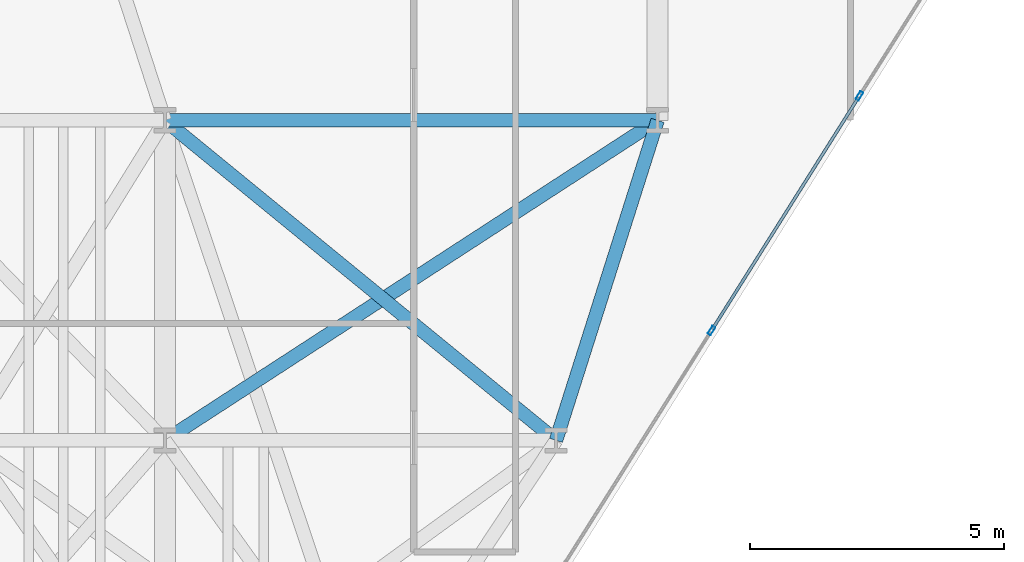
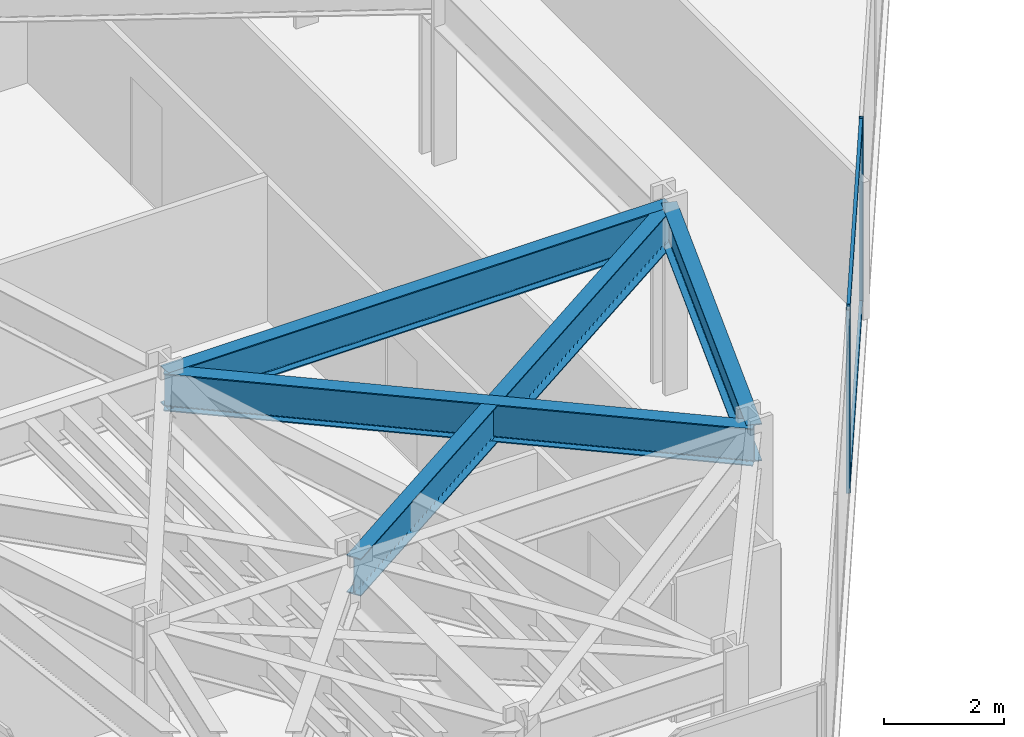
# One storey, part 6 of 25: 4 beams, 4 members, 1 element without a shape of its own.
"""IFC4 building model written with IfcOpenShell, lengths in metres."""

from ifc_helpers import new_model, si_unit, direction, frame, origin, origin_2d, place, context, subcontext, project, spatial, hollow_rectangle, i_section, extrude, material, layer, layer_set, material_profile, profile_set, type_object, element, aggregate, save


model = new_model("IFC4")

# Units and contexts
model_context = context("Model", 3, precision=1e-05, world=origin(), true_north=direction((0.0, 1.0)))
body_context = subcontext(model_context, "Body", "Model", "MODEL_VIEW")
ifc_project = project(units=[si_unit("LENGTHUNIT", "METRE"), si_unit("AREAUNIT", "SQUARE_METRE"), si_unit("VOLUMEUNIT", "CUBIC_METRE"), si_unit("PLANEANGLEUNIT", "RADIAN"), si_unit("MASSUNIT", "GRAM", prefix="KILO")], contexts=[model_context])

# Site, building, storey
site_placement = place(None, origin())
site = spatial("IfcSite", under=ifc_project, at=site_placement, CompositionType="ELEMENT")
building_placement = place(site_placement, origin())
building = spatial("IfcBuilding", under=site, at=building_placement, Name="Kravanh Interchange Tower", CompositionType="ELEMENT")
storey_placement = place(building_placement, frame((0.0, 0.0, 81.5)))
storey = spatial("IfcBuildingStorey", under=building, at=storey_placement, Name="L19", CompositionType="ELEMENT", Elevation=81.5)

# Curtain wall, members
ifc_material_1 = material(Name="Anodised Bronze Aluminium", Category="aluminium")
ifc_layer = layer(ifc_material_1, 0.179931640625)
ifc_layer_set = layer_set([ifc_layer], Name="Unitised Curtain Wall System CW-Z1 Lower Office")
curtain_wall_type = type_object("IfcCurtainWallType", Name="Unitised Curtain Wall System CW-Z1 Lower Office", PredefinedType="NOTDEFINED", material=ifc_layer_set)
curtain_wall_placement = place(storey_placement, origin())
curtain_wall = element("IfcCurtainWall", 1, at=curtain_wall_placement, inside=storey, type_object=curtain_wall_type, Name="L19 Unitised Curtain Wall CW-L19-05", PredefinedType="NOTDEFINED")
ifc_material_2 = material(Name="Anodised Bronze Aluminium", Category="aluminium")
ifc_material_profile_1 = material_profile(ifc_material_2, hollow_rectangle(XDim=0.070068359375, YDim=0.179931640625, WallThickness=0.00390625, at=origin_2d()), Name="ALU70X180X4")
ifc_profile_set_1 = profile_set([ifc_material_profile_1], Name="Anodised Bronze Aluminium")
member_type_1 = type_object("IfcMemberType", Name="Curtain Wall Mullion ALU70X180X4 Bronze", PredefinedType="MULLION", material=ifc_profile_set_1)
member_1_placement = place(storey_placement, frame((31.173583984375, 14.98291015625, 0.0), z_axis=(0.0, 0.0, 1.0), x_axis=(0.845925530786, -0.53330103728, 0.0)))
member_1 = element("IfcMember", 2, at=member_1_placement, type_object=member_type_1, Name="CW-Z1 mullion 3", PredefinedType="MULLION", context=body_context, shape_type="SweptSolid", body=[
    extrude(hollow_rectangle(XDim=0.070068359375, YDim=0.179931640625, WallThickness=0.00390625, at=origin_2d()), origin(), (0.0, 0.0, 1.0), 3.719970703125),
])
member_2_placement = place(storey_placement, frame((28.26025390625, 10.362060546875, 0.0), z_axis=(0.0, 0.0, 1.0), x_axis=(0.845925530786, -0.53330103728, 0.0)))
member_2 = element("IfcMember", 3, at=member_2_placement, type_object=member_type_1, Name="CW-Z1 mullion 4", PredefinedType="MULLION", context=body_context, shape_type="SweptSolid", body=[
    extrude(hollow_rectangle(XDim=0.070068359375, YDim=0.179931640625, WallThickness=0.00390625, at=origin_2d()), origin(), (0.0, 0.0, 1.0), 3.719970703125),
])
ifc_material_3 = material(Name="Anodised Bronze Aluminium", Category="aluminium")
ifc_material_profile_2 = material_profile(ifc_material_3, hollow_rectangle(XDim=0.06005859375, YDim=0.139892578125, WallThickness=0.00390625, at=origin_2d()), Name="ALU60X140X4")
ifc_profile_set_2 = profile_set([ifc_material_profile_2], Name="Anodised Bronze Aluminium")
member_type_2 = type_object("IfcMemberType", Name="Curtain Wall Transom ALU60X140X4 Bronze", PredefinedType="USERDEFINED", material=ifc_profile_set_2)
member_3_placement = place(storey_placement, frame((31.15478515625, 14.953369140625, 0.030029296875), z_axis=(-0.533279090152, -0.845939366626, 0.0), x_axis=(0.845939366626, -0.533279090152, 0.0)))
member_3 = element("IfcMember", 4, at=member_3_placement, type_object=member_type_2, Name="CW-Z1 transom 3.1", ObjectType="TRANSOM", PredefinedType="USERDEFINED", context=body_context, shape_type="SweptSolid", body=[
    extrude(hollow_rectangle(XDim=0.06005859375, YDim=0.139892578125, WallThickness=0.00390625, at=origin_2d()), origin(), (0.0, 0.0, 1.0), 5.392578125),
])
member_4_placement = place(storey_placement, frame((31.15478515625, 14.953369140625, 3.68994140625), z_axis=(-0.533279090152, -0.845939366626, 0.0), x_axis=(0.845939366626, -0.533279090152, 0.0)))
member_4 = element("IfcMember", 5, at=member_4_placement, type_object=member_type_2, Name="CW-Z1 transom 3.2", ObjectType="TRANSOM", PredefinedType="USERDEFINED", context=body_context, shape_type="SweptSolid", body=[
    extrude(hollow_rectangle(XDim=0.06005859375, YDim=0.139892578125, WallThickness=0.00390625, at=origin_2d()), origin(), (0.0, 0.0, 1.0), 5.392578125),
])
aggregate(curtain_wall, [member_1, member_2, member_3, member_4])

# Beams
ifc_material_4 = material(Name="Structural Steel S355", Category="steel")
ifc_material_profile_3 = material_profile(ifc_material_4, i_section(OverallWidth=0.26708984375, OverallDepth=0.761962890625, WebThickness=0.014404296875, FlangeThickness=0.021484375, FilletRadius=0.02490234375, at=origin_2d()), Name="W30X116")
ifc_profile_set_3 = profile_set([ifc_material_profile_3], Name="Structural Steel S355")
beam_type = type_object("IfcBeamType", Name="Floor Spandrel W30X116 Structural Steel S355", PredefinedType="SPANDREL", material=ifc_profile_set_3)
beam_1_placement = place(storey_placement, frame((17.5, 8.199951171875, 3.339111328125), z_axis=(0.838637911458, 0.544689318295, 0.0), x_axis=(-0.544689318295, 0.838637911458, 0.0)))
element("IfcBeam", 6, at=beam_1_placement, inside=storey, type_object=beam_type, Name="L19 Perimeter Spandrel 139", PredefinedType="SPANDREL", context=body_context, shape_type="SweptSolid", body=[
    extrude(i_section(OverallWidth=0.26708984375, OverallDepth=0.761962890625, WebThickness=0.014404296875, FlangeThickness=0.021484375, FilletRadius=0.02490234375, at=origin_2d()), origin(), (0.0, 0.0, 1.0), 11.56640625),
])
beam_2_placement = place(storey_placement, frame((25.199951171875, 8.199951171875, 3.339111328125), z_axis=(0.30257700201, 0.953124943465, 0.0), x_axis=(-0.953124943465, 0.30257700201, 0.0)))
element("IfcBeam", 7, at=beam_2_placement, inside=storey, type_object=beam_type, Name="L19 Perimeter Spandrel 140", PredefinedType="SPANDREL", context=body_context, shape_type="SweptSolid", body=[
    extrude(i_section(OverallWidth=0.26708984375, OverallDepth=0.761962890625, WebThickness=0.014404296875, FlangeThickness=0.021484375, FilletRadius=0.02490234375, at=origin_2d()), origin(), (0.0, 0.0, 1.0), 6.60986328125),
])
beam_3_placement = place(storey_placement, frame((25.199951171875, 8.199951171875, 3.339111328125), z_axis=(-0.773952925799, 0.633243135491, 0.0), x_axis=(-0.633243135491, -0.773952925799, 0.0)))
element("IfcBeam", 8, at=beam_3_placement, inside=storey, type_object=beam_type, Name="L19 Perimeter Spandrel 141", PredefinedType="SPANDREL", context=body_context, shape_type="SweptSolid", body=[
    extrude(i_section(OverallWidth=0.26708984375, OverallDepth=0.761962890625, WebThickness=0.014404296875, FlangeThickness=0.021484375, FilletRadius=0.02490234375, at=origin_2d()), origin(), (0.0, 0.0, 1.0), 9.948974609375),
])
beam_4_placement = place(storey_placement, frame((17.5, 14.5, 3.339111328125), z_axis=(1.0, 0.0, 0.0), x_axis=(0.0, 1.0, 0.0)))
element("IfcBeam", 9, at=beam_4_placement, inside=storey, type_object=beam_type, Name="L19 Perimeter Spandrel 144", PredefinedType="SPANDREL", context=body_context, shape_type="SweptSolid", body=[
    extrude(i_section(OverallWidth=0.26708984375, OverallDepth=0.761962890625, WebThickness=0.014404296875, FlangeThickness=0.021484375, FilletRadius=0.02490234375, at=origin_2d()), origin(), (0.0, 0.0, 1.0), 9.699951171875),
])

save(model, "model.ifc")
